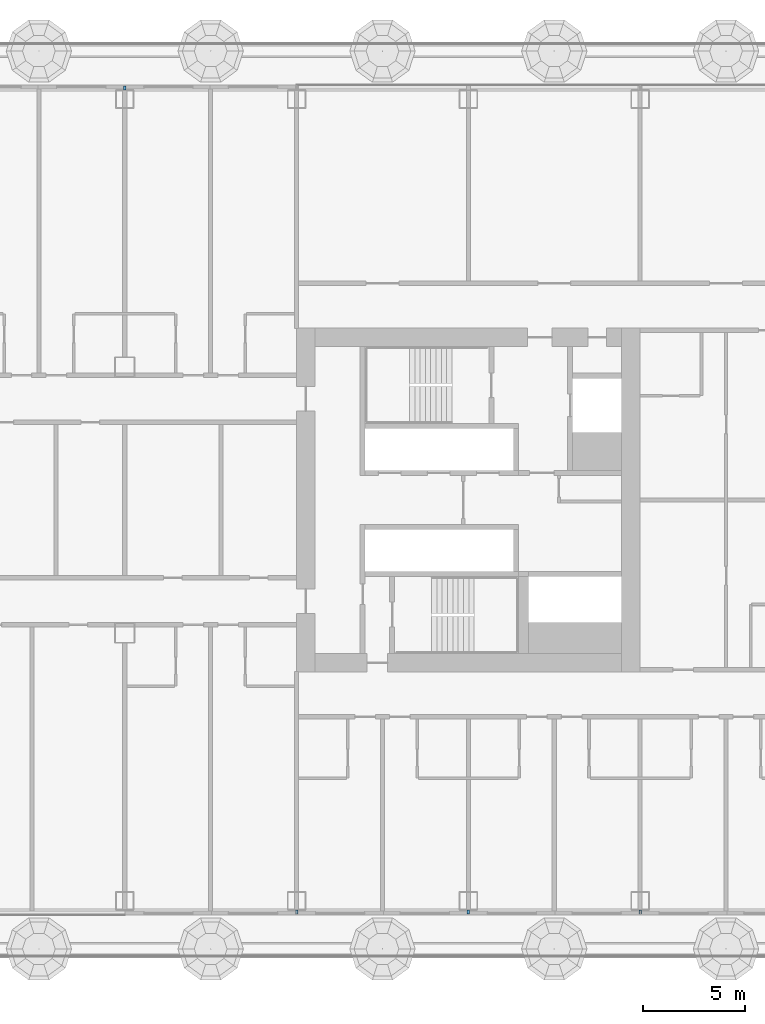
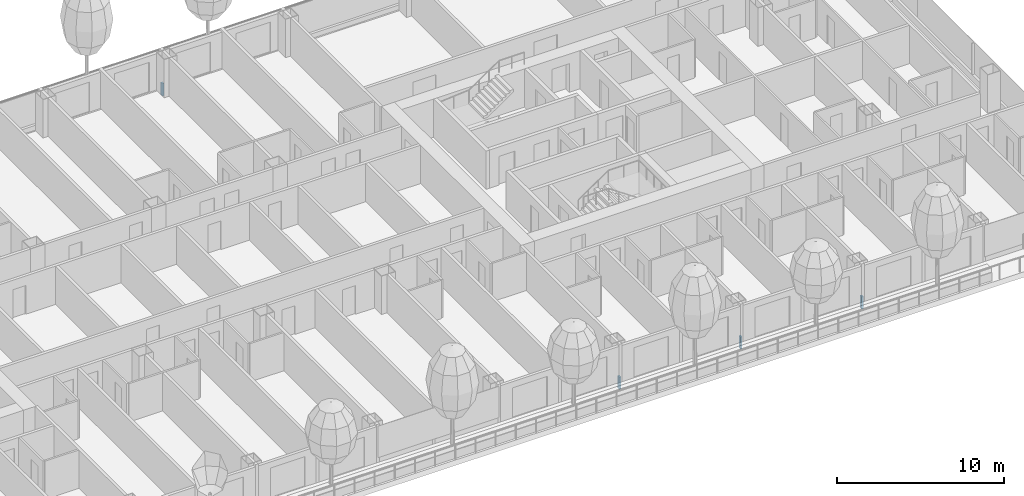
# One storey, part 11 of 37: 4 members, 2 elements without a shape of their own.
"""IFC4 building model written with IfcOpenShell, lengths in metres."""

from ifc_helpers import new_model, si_unit, direction, frame, origin, origin_2d, place, context, subcontext, project, spatial, rectangle, extrude, material, layer, layer_set, material_profile, profile_set, type_object, element, aggregate, save


model = new_model("IFC4")

# Units and contexts
model_context = context("Model", 3, precision=1e-05, world=origin(), true_north=direction((0.0, 1.0)))
body_context = subcontext(model_context, "Body", "Model", "MODEL_VIEW")
ifc_project = project(units=[si_unit("LENGTHUNIT", "METRE"), si_unit("AREAUNIT", "SQUARE_METRE"), si_unit("VOLUMEUNIT", "CUBIC_METRE"), si_unit("PLANEANGLEUNIT", "RADIAN"), si_unit("MASSUNIT", "GRAM", prefix="KILO")], contexts=[model_context])

# Site, building, storey
site_placement = place(None, origin())
site = spatial("IfcSite", under=ifc_project, at=site_placement, CompositionType="ELEMENT")
building_placement = place(site_placement, origin())
building = spatial("IfcBuilding", under=site, at=building_placement, Name="Hakoniwa Tower and Hamabe Station Hall", CompositionType="ELEMENT")
storey_placement = place(building_placement, frame((0.0, 0.0, 39.0)))
storey = spatial("IfcBuildingStorey", under=building, at=storey_placement, Name="L10", CompositionType="ELEMENT", Elevation=39.0)

# Curtain wall, member
ifc_material_1 = material(Name="Dark low-e laminated glass", Category="glass")
ifc_layer = layer(ifc_material_1, 0.199951171875)
ifc_layer_set = layer_set([ifc_layer], Name="CW-1 UNITISED GUEST")
curtain_wall_type = type_object("IfcCurtainWallType", Name="CW-1 UNITISED GUEST", PredefinedType="NOTDEFINED", material=ifc_layer_set)
curtain_wall_1_placement = place(storey_placement, origin())
curtain_wall_1 = element("IfcCurtainWall", 1, at=curtain_wall_1_placement, inside=storey, type_object=curtain_wall_type, Name="CW-1 curtain wall", PredefinedType="NOTDEFINED")
ifc_material_2 = material(Name="Aluminium 6063-T5 black anodised", Category="aluminium")
ifc_material_profile = material_profile(ifc_material_2, rectangle(XDim=0.199951171875, YDim=0.89990234375, at=origin_2d()), Name="CW SLAB-EDGE BAND 900X200")
ifc_profile_set = profile_set([ifc_material_profile], Name="Aluminium 6063-T5 black anodised")
member_type = type_object("IfcMemberType", Name="CW SLAB-EDGE BAND 900X200", PredefinedType="USERDEFINED", material=ifc_profile_set)
member_1_placement = place(storey_placement, frame((8.4599609375, 20.14990234375, -0.10009765625), z_axis=(-1.0, 0.0, 0.0), x_axis=(0.0, -1.0, 0.0)))
member_1 = element("IfcMember", 2, at=member_1_placement, type_object=member_type, Name="CW-1 transom", ObjectType="TRANSOM", PredefinedType="USERDEFINED", context=body_context, shape_type="SweptSolid", body=[
    extrude(rectangle(XDim=0.199951171875, YDim=0.89990234375, at=origin_2d()), origin(), (0.0, 0.0, 1.0), 0.119873046875),
])
aggregate(curtain_wall_1, [member_1])

# Curtain wall, members
curtain_wall_2_placement = place(storey_placement, origin())
curtain_wall_2 = element("IfcCurtainWall", 3, at=curtain_wall_2_placement, inside=storey, type_object=curtain_wall_type, Name="CW-1 curtain wall", PredefinedType="NOTDEFINED")
member_2_placement = place(storey_placement, frame((16.739990234375, -20.14990234375, -0.10009765625), z_axis=(1.0, 0.0, 0.0), x_axis=(0.0, 1.0, 0.0)))
member_2 = element("IfcMember", 4, at=member_2_placement, type_object=member_type, Name="CW-1 transom", ObjectType="TRANSOM", PredefinedType="USERDEFINED", context=body_context, shape_type="SweptSolid", body=[
    extrude(rectangle(XDim=0.199951171875, YDim=0.89990234375, at=origin_2d()), origin(), (0.0, 0.0, 1.0), 0.1201171875),
])
member_3_placement = place(storey_placement, frame((25.139892578125, -20.14990234375, -0.10009765625), z_axis=(1.0, 0.0, 0.0), x_axis=(0.0, 1.0, 0.0)))
member_3 = element("IfcMember", 5, at=member_3_placement, type_object=member_type, Name="CW-1 transom", ObjectType="TRANSOM", PredefinedType="USERDEFINED", context=body_context, shape_type="SweptSolid", body=[
    extrude(rectangle(XDim=0.199951171875, YDim=0.89990234375, at=origin_2d()), origin(), (0.0, 0.0, 1.0), 0.1201171875),
])
member_4_placement = place(storey_placement, frame((33.5400390625, -20.14990234375, -0.10009765625), z_axis=(1.0, 0.0, 0.0), x_axis=(0.0, 1.0, 0.0)))
member_4 = element("IfcMember", 6, at=member_4_placement, type_object=member_type, Name="CW-1 transom", ObjectType="TRANSOM", PredefinedType="USERDEFINED", context=body_context, shape_type="SweptSolid", body=[
    extrude(rectangle(XDim=0.199951171875, YDim=0.89990234375, at=origin_2d()), origin(), (0.0, 0.0, 1.0), 0.119873046875),
])
aggregate(curtain_wall_2, [member_2, member_3, member_4])

save(model, "model.ifc")
